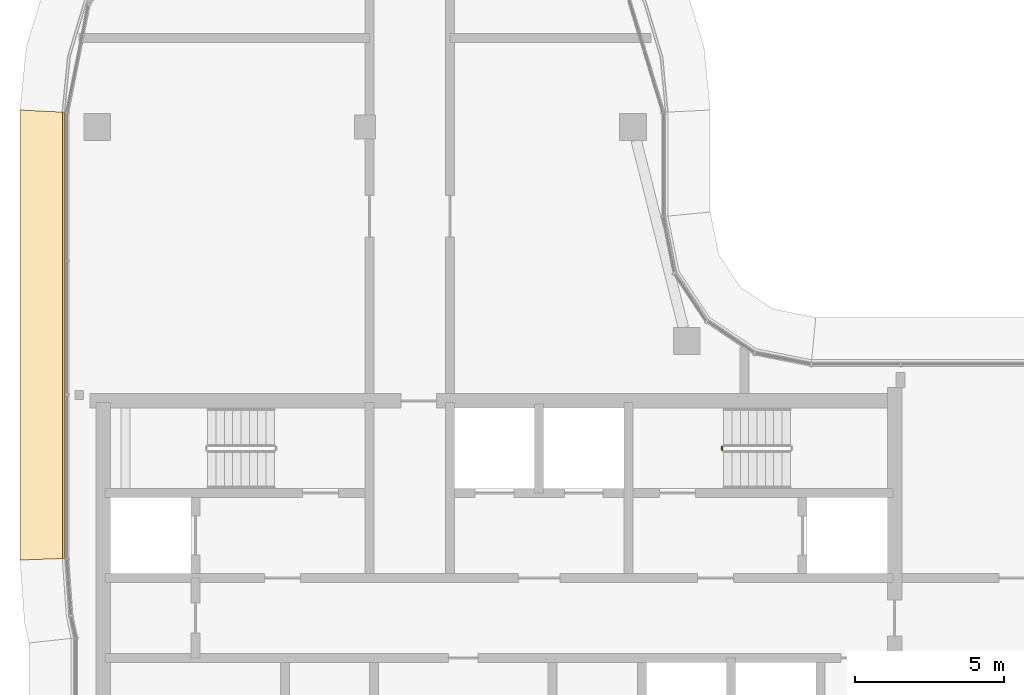
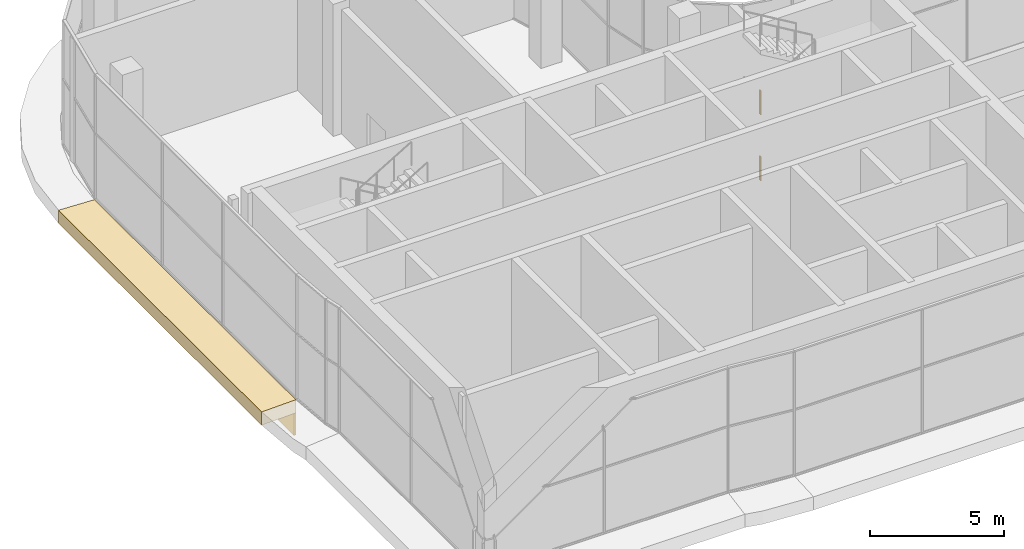
# One storey, part 19 of 23: 2 coverings, 2 railings.
"""IFC4 building model written with IfcOpenShell, lengths in metres."""

import ifcopenshell
import ifcopenshell.guid

model = None  # the IFC model being written
_history = None  # IfcOwnerHistory: only IFC2X3 demands one
_inside = {}  # id of a spatial element -> (the spatial element, [elements in it])
_under = {}  # id of a project, library or spatial element -> (it, [spatial elements below it])
_declared = {}  # id of a project -> (the project, [libraries it declares])
_typed = {}  # id of a type object -> (the type object, [elements of that type])
_made_of = {}  # id of a material, layer set ... -> (it, [elements and type objects made of it])


def new_model(schema):
    """Start an empty IFC model of exactly this schema.

    Asked for "IFC4X3", IfcOpenShell would pick the latest addendum, in which some entities
    have other attributes; the version numbers below select the first issue.
    IFC2X3 requires an IfcOwnerHistory on every rooted entity: one is made here for all.
    """
    global model, _history
    if schema == "IFC4X3":
        model = ifcopenshell.file(schema_version=(4, 3, 0, 0))
    else:
        model = ifcopenshell.file(schema=schema)
    _inside.clear()
    _under.clear()
    _declared.clear()
    _typed.clear()
    _made_of.clear()
    _history = None
    if model.schema == "IFC2X3":
        org = make("IfcOrganization", Name="unknown")
        user = make(
            "IfcPersonAndOrganization",
            ThePerson=make("IfcPerson", FamilyName="unknown"),
            TheOrganization=org,
        )
        app = make(
            "IfcApplication",
            ApplicationDeveloper=org,
            Version="unknown",
            ApplicationFullName="unknown",
            ApplicationIdentifier="unknown",
        )
        _history = make(
            "IfcOwnerHistory",
            OwningUser=user,
            OwningApplication=app,
            ChangeAction="ADDED",
            CreationDate=0,
        )
    return model


def make(cls, **values):
    """One entity of the class cls with the attributes given. An attribute that is None is left unset."""
    return model.create_entity(
        cls, **{name: value for name, value in values.items() if value is not None}
    )


def rooted(cls, **values):
    """An entity with a GlobalId (a new one), such as an element, a storey or a relation."""
    return make(cls, GlobalId=ifcopenshell.guid.new(), OwnerHistory=_history, **values)


def si_unit(unit_type, name, prefix=None):
    """IfcSIUnit, for example si_unit("LENGTHUNIT", "METRE", prefix="MILLI")."""
    return make("IfcSIUnit", UnitType=unit_type, Prefix=prefix, Name=name)


def assignment(units):
    """IfcUnitAssignment: the units of a project."""
    return None if units is None else make("IfcUnitAssignment", Units=units)


def point(xyz):
    """IfcCartesianPoint."""
    return None if xyz is None else make("IfcCartesianPoint", Coordinates=xyz)


def direction(xyz):
    """IfcDirection."""
    return None if xyz is None else make("IfcDirection", DirectionRatios=xyz)


def frame(location, z_axis=None, x_axis=None):
    """IfcAxis2Placement3D, a coordinate frame: its origin and axes. An axis left out is left unset."""
    return make(
        "IfcAxis2Placement3D",
        Location=point(location),
        Axis=direction(z_axis),
        RefDirection=direction(x_axis),
    )


def frame_2d(location, x_axis=None):
    """IfcAxis2Placement2D, a coordinate frame in the plane: its origin and x axis."""
    return make(
        "IfcAxis2Placement2D", Location=point(location), RefDirection=direction(x_axis)
    )


def origin():
    """The frame at (0, 0, 0) with its axes left unset."""
    return frame((0.0, 0.0, 0.0))


def origin_2d():
    """The frame at (0, 0) in the plane with its x axis left unset."""
    return frame_2d((0.0, 0.0))


def place(relative_to, where):
    """IfcLocalPlacement: puts the frame where relative to a parent placement (None: the world)."""
    return make(
        "IfcLocalPlacement", PlacementRelTo=relative_to, RelativePlacement=where
    )


def context(
    kind, dimensions, precision=None, world=None, true_north=None, identifier=None
):
    """IfcGeometricRepresentationContext, for example the 3D "Model" context."""
    return make(
        "IfcGeometricRepresentationContext",
        ContextIdentifier=identifier,
        ContextType=kind,
        CoordinateSpaceDimension=dimensions,
        Precision=precision,
        WorldCoordinateSystem=world,
        TrueNorth=true_north,
    )


def subcontext(parent, identifier, kind, view, scale=None):
    """IfcGeometricRepresentationSubContext, for example "Body" below "Model"."""
    return make(
        "IfcGeometricRepresentationSubContext",
        ContextIdentifier=identifier,
        ContextType=kind,
        ParentContext=parent,
        TargetScale=scale,
        TargetView=view,
    )


def project(units=None, contexts=None):
    """IfcProject with its units and contexts."""
    return rooted(
        "IfcProject",
        Name="project",
        RepresentationContexts=contexts,
        UnitsInContext=assignment(units),
    )


def spatial(cls, under=None, at=None, **own):
    """A site, building, storey or space (cls), placed at a placement, below another one or the project."""
    s = rooted(cls, ObjectPlacement=at, **own)
    if under is not None:
        _under.setdefault(under.id(), (under, []))[1].append(s)
    return s


def polyline(points):
    """IfcPolyline through the points."""
    return make("IfcPolyline", Points=[point(p) for p in points])


def profile(cls, at=None, kind="AREA", **sizes):
    """A parametric profile (cls). Its sizes go by their IFC names, for example OverallWidth=200.0."""
    return make(cls, ProfileType=kind, Position=at, **sizes)


def circle(**sizes):
    """IfcCircleProfileDef."""
    return profile("IfcCircleProfileDef", **sizes)


def outline(outer, holes=None, kind="AREA"):
    """IfcArbitraryClosedProfileDef: a profile drawn as a closed curve; with holes, ...WithVoids."""
    if holes is None:
        return make("IfcArbitraryClosedProfileDef", ProfileType=kind, OuterCurve=outer)
    return make(
        "IfcArbitraryProfileDefWithVoids",
        ProfileType=kind,
        OuterCurve=outer,
        InnerCurves=holes,
    )


def extrude(swept, where, along, depth):
    """IfcExtrudedAreaSolid: the profile swept, set in the frame where, extruded along a direction by depth."""
    return make(
        "IfcExtrudedAreaSolid",
        SweptArea=swept,
        Position=where,
        ExtrudedDirection=direction(along),
        Depth=depth,
    )


def shape(context_of_items, identifier, shape_type, items):
    """IfcShapeRepresentation: the items that make up one representation, for example the "Body"."""
    return make(
        "IfcShapeRepresentation",
        ContextOfItems=context_of_items,
        RepresentationIdentifier=identifier,
        RepresentationType=shape_type,
        Items=items,
    )


def material(Name=None, Category=None):
    """IfcMaterial."""
    return make("IfcMaterial", Name=Name, Category=Category)


def layer(
    of_material, thickness, ventilated=None, Name=None, Category=None, Priority=None
):
    """IfcMaterialLayer: one layer of a wall or slab, of a material (None: an air gap)."""
    return make(
        "IfcMaterialLayer",
        Material=of_material,
        LayerThickness=thickness,
        IsVentilated=ventilated,
        Name=Name,
        Category=Category,
        Priority=Priority,
    )


def layer_set(layers, Name=None):
    """IfcMaterialLayerSet."""
    return make("IfcMaterialLayerSet", MaterialLayers=layers, LayerSetName=Name)


def made_of(thing, what):
    """Note that an element or type object is made of a material, layer set ...; save() writes the relation."""
    if what is not None:
        _made_of.setdefault(what.id(), (what, []))[1].append(thing)
    return thing


def type_object(cls, material=None, **own):
    """A type object (cls), such as IfcWallType, which elements share."""
    return made_of(rooted(cls, **own), material)


def element(
    cls,
    number,
    at=None,
    inside=None,
    cuts=None,
    type_object=None,
    material=None,
    context=None,
    identifier="Body",
    shape_type=None,
    held_by="IfcProductDefinitionShape",
    body=None,
    shapes=None,
    **own,
):
    """One element of the class cls, such as IfcWall. Its Tag is "e" and its number.

    at: its placement. inside: the storey or other place that contains it. cuts: it is an
    opening in that element (IfcRelVoidsElement). A single representation is given by context,
    identifier, shape_type and body (its items); several are given by shapes. held_by: the class
    of the entity that holds the representations. save() writes the other relations.
    """
    e = rooted(cls, Tag="e%d" % number, ObjectPlacement=at, **own)
    if body is not None:
        shapes = [shape(context, identifier, shape_type, body)]
    if shapes is not None:
        e.Representation = make(held_by, Representations=shapes)
    if inside is not None:
        _inside.setdefault(inside.id(), (inside, []))[1].append(e)
    if cuts is not None:
        rooted(
            "IfcRelVoidsElement", RelatingBuildingElement=cuts, RelatedOpeningElement=e
        )
    if type_object is not None:
        _typed.setdefault(type_object.id(), (type_object, []))[1].append(e)
    return made_of(e, material)


def aggregate(whole, parts):
    """IfcRelAggregates: a whole, such as a stair, and the parts it consists of."""
    return rooted("IfcRelAggregates", RelatingObject=whole, RelatedObjects=parts)


def save(model, path):
    """Write the relations noted so far, then the file.

    IfcRelAggregates (storeys below a building ...), IfcRelContainedInSpatialStructure (elements
    in a storey), IfcRelDefinesByType, IfcRelAssociatesMaterial and IfcRelDeclares: one each for
    every whole, place, type object, material and project.
    """
    for whole, parts in _under.values():
        aggregate(whole, parts)
    for where, things in _inside.values():
        rooted(
            "IfcRelContainedInSpatialStructure",
            RelatedElements=things,
            RelatingStructure=where,
        )
    for kind, things in _typed.values():
        rooted("IfcRelDefinesByType", RelatedObjects=things, RelatingType=kind)
    for what, things in _made_of.values():
        rooted("IfcRelAssociatesMaterial", RelatedObjects=things, RelatingMaterial=what)
    for by, libraries in _declared.values():
        rooted("IfcRelDeclares", RelatingContext=by, RelatedDefinitions=libraries)
    model.write(path)


model = new_model("IFC4")

# Units and contexts
model_context = context("Model", 3, precision=1e-05, world=origin(), true_north=direction((0.0, 1.0)))
body_context = subcontext(model_context, "Body", "Model", "MODEL_VIEW")
ifc_project = project(units=[si_unit("LENGTHUNIT", "METRE"), si_unit("AREAUNIT", "SQUARE_METRE"), si_unit("VOLUMEUNIT", "CUBIC_METRE"), si_unit("PLANEANGLEUNIT", "RADIAN"), si_unit("MASSUNIT", "GRAM", prefix="KILO")], contexts=[model_context])

# Site, building, storey
site_placement = place(None, origin())
site = spatial("IfcSite", under=ifc_project, at=site_placement, CompositionType="ELEMENT")
building_placement = place(site_placement, origin())
building = spatial("IfcBuilding", under=site, at=building_placement, Name="Ogive Portal Towers", CompositionType="ELEMENT")
storey_placement = place(building_placement, frame((0.0, 0.0, 260.89990234375)))
storey = spatial("IfcBuildingStorey", under=building, at=storey_placement, Name="L64", CompositionType="ELEMENT", Elevation=260.89990234375)

# Railings
ifc_material_1 = material(Name="Stainless steel balustrade", Category="steel")
railing_type = type_object("IfcRailingType", Name="INT-GUARD", PredefinedType="GUARDRAIL", material=ifc_material_1)
for number, where, name in (
    (1, (52.5, 37.64990234375, 3.0), "L64 ST-A2 stair guard 4"),
    (2, (52.5, 37.64990234375, 0.0), "L64 ST-A2 stair guard 8"),
):
    element("IfcRailing", number, at=place(storey_placement, frame(where)), inside=storey, type_object=railing_type, Name=name, PredefinedType="GUARDRAIL", context=body_context, shape_type="SweptSolid", body=[
        extrude(circle(Radius=0.02392578125, at=origin_2d()), frame((0.0, 0.0, 1.076171875), z_axis=(0.0, 1.0, 0.0), x_axis=(-1.0, 0.0, 0.0)), (0.0, 0.0, 1.0), 0.10009765625),
        extrude(circle(Radius=0.02099609375, at=origin_2d()), origin(), (0.0, 0.0, 1.0), 1.052001953125),
        extrude(circle(Radius=0.02099609375, at=origin_2d()), frame((0.0, 0.10009765625, 0.0)), (0.0, 0.0, 1.0), 1.052001953125),
    ])

# Coverings
ifc_material_2 = material(Name="Limestone cladding on lightweight block wall", Category="masonry")
ifc_layer_1 = layer(ifc_material_2, 0.080078125)
ifc_layer_set_1 = layer_set([ifc_layer_1], Name="STONE SPANDREL 80")
covering_type_1 = type_object("IfcCoveringType", Name="STONE SPANDREL 80", PredefinedType="CLADDING", material=ifc_layer_set_1)
covering_1_placement = place(storey_placement, frame((0.0, 0.0, -1.599853515625)))
element("IfcCovering", 3, at=covering_1_placement, inside=storey, type_object=covering_type_1, Name="Stone spandrel A1-F13", PredefinedType="CLADDING", context=body_context, shape_type="SweptSolid", body=[
    extrude(outline(polyline([(30.39990234375, 49.0), (30.39990234375, 34.0), (30.320068359375, 33.9970703125), (30.320068359375, 49.00390625), (30.39990234375, 49.0)])), origin(), (0.0, 0.0, 1.0), 1.0),
])
ifc_layer_2 = layer(ifc_material_2, 0.60009765625)
ifc_layer_set_2 = layer_set([ifc_layer_2], Name="SUNSHADE LIP 600")
covering_type_2 = type_object("IfcCoveringType", Name="SUNSHADE LIP 600", PredefinedType="CLADDING", material=ifc_layer_set_2)
covering_2_placement = place(storey_placement, frame((0.0, 0.0, -0.599853515625)))
element("IfcCovering", 4, at=covering_2_placement, inside=storey, type_object=covering_type_2, Name="Sunshade lip A1-F13", PredefinedType="CLADDING", context=body_context, shape_type="SweptSolid", body=[
    extrude(outline(polyline([(30.39990234375, 49.0), (30.39990234375, 34.0), (28.89990234375, 33.946533203125), (28.89990234375, 49.07373046875), (30.39990234375, 49.0)])), origin(), (0.0, 0.0, 1.0), 0.599853515625),
])

save(model, "model.ifc")
